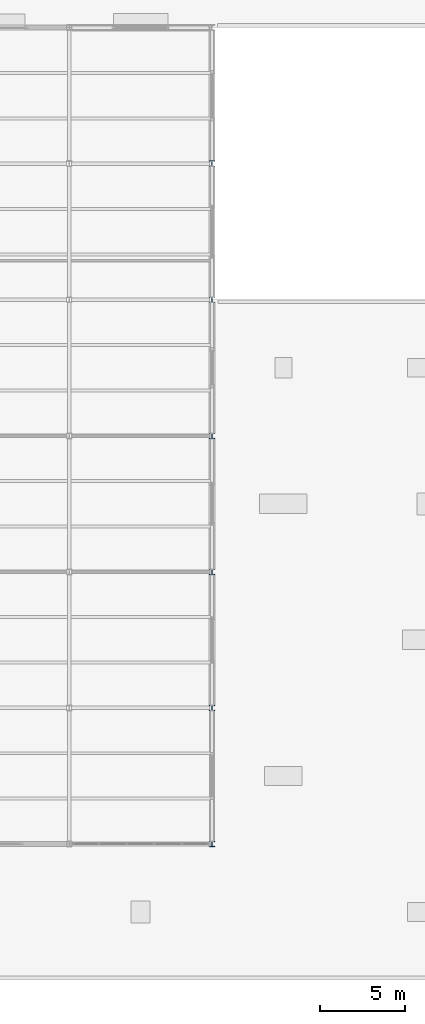
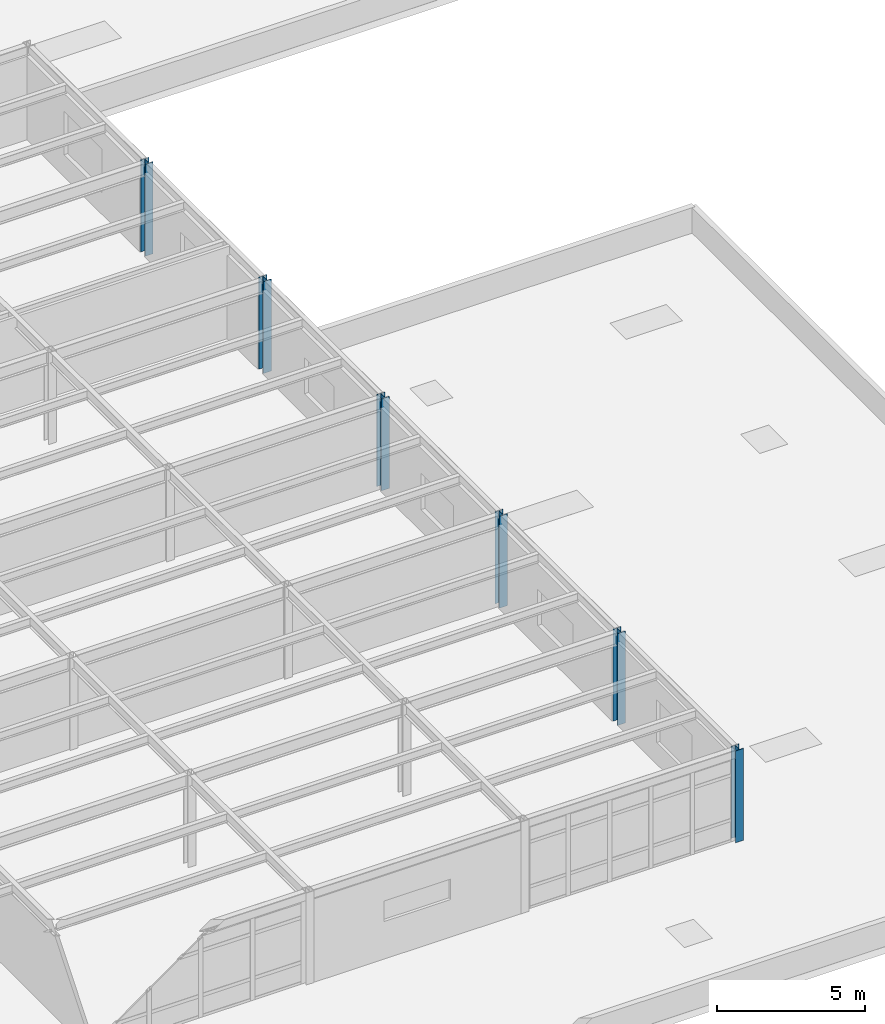
# One storey, part 15 of 138: 6 columns.
"""IFC4 building model written with IfcOpenShell, lengths in metres."""

from ifc_helpers import new_model, si_unit, direction, frame, origin, origin_2d, place, context, subcontext, project, spatial, i_section, extrude, material, material_profile, profile_set, type_object, element, save


model = new_model("IFC4")

# Units and contexts
model_context = context("Model", 3, precision=1e-05, world=origin(), true_north=direction((0.0, 1.0)))
body_context = subcontext(model_context, "Body", "Model", "MODEL_VIEW")
ifc_project = project(units=[si_unit("LENGTHUNIT", "METRE"), si_unit("AREAUNIT", "SQUARE_METRE"), si_unit("VOLUMEUNIT", "CUBIC_METRE"), si_unit("PLANEANGLEUNIT", "RADIAN"), si_unit("MASSUNIT", "GRAM", prefix="KILO")], contexts=[model_context])

# Site, building, storey
site_placement = place(None, origin())
site = spatial("IfcSite", under=ifc_project, at=site_placement, CompositionType="ELEMENT")
building_placement = place(site_placement, origin())
building = spatial("IfcBuilding", under=site, at=building_placement, Name="Kranzveld Transit Interchange", CompositionType="ELEMENT")
storey_placement = place(building_placement, frame((0.0, 0.0, 5.43994140625)))
storey = spatial("IfcBuildingStorey", under=building, at=storey_placement, Name="L01", CompositionType="ELEMENT", Elevation=5.43994140625)

# Columns
ifc_material = material(Name="Steel S355JR", Category="steel")
ifc_material_profile = material_profile(ifc_material, i_section(OverallWidth=0.30908203125, OverallDepth=0.320556640625, WebThickness=0.013916015625, FlangeThickness=0.021728515625, FilletRadius=0.01513671875, at=origin_2d()), Name="UC 305x305x137")
ifc_profile_set = profile_set([ifc_material_profile], Name="Steel S355JR")
column_type = type_object("IfcColumnType", Name="Column Steel UC 305x305x137 S355JR", PredefinedType="COLUMN", material=ifc_profile_set)
for number, where, z_axis, x_axis, name in (
    (1, (134.39990234375, 8.0, 0.0), (0.0, 0.0, 1.0), (1.0, 0.0, 0.0), "L01 Column 17/B"),
    (2, (134.39990234375, 16.0, 0.0), (0.0, 0.0, 1.0), (1.0, 0.0, 0.0), "L01 Column 17/C"),
    (3, (134.39990234375, 24.0, 0.0), (0.0, 0.0, 1.0), (1.0, 0.0, 0.0), "L01 Column 17/D"),
    (4, (134.39990234375, 32.0, 0.0), (0.0, 0.0, 1.0), (1.0, 0.0, 0.0), "L01 Column 17/E"),
    (5, (134.39990234375, 40.0, 0.0), (0.0, 0.0, 1.0), (1.0, 0.0, 0.0), "L01 Column 17/F"),
    (6, (134.39990234375, 48.0, 0.0), (0.0, 0.0, 1.0), (1.0, 0.0, 0.0), "L01 Column 17/G"),
):
    element("IfcColumn", number, at=place(storey_placement, frame(where, z_axis=z_axis, x_axis=x_axis)), inside=storey, type_object=column_type, Name=name, PredefinedType="COLUMN", context=body_context, shape_type="SweptSolid", body=[
        extrude(i_section(OverallWidth=0.30908203125, OverallDepth=0.320556640625, WebThickness=0.013916015625, FlangeThickness=0.021728515625, FilletRadius=0.01513671875, at=origin_2d()), origin(), (0.0, 0.0, 1.0), 3.800048828125),
    ])

save(model, "model.ifc")
